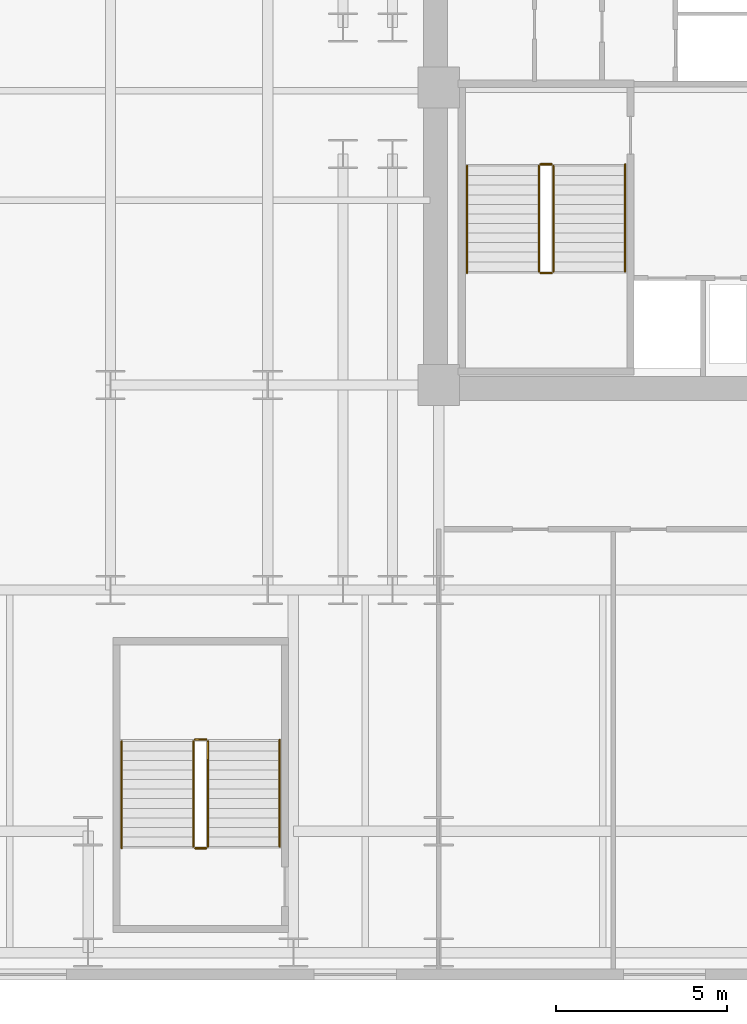
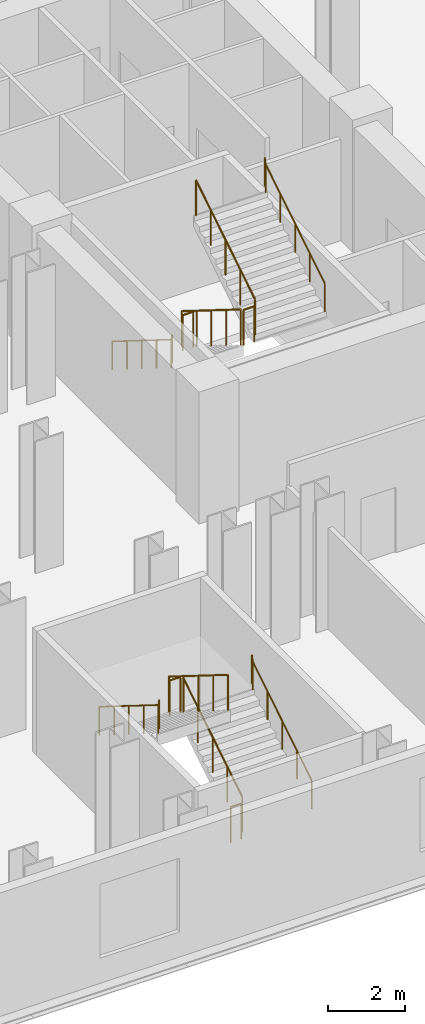
# One storey, part 12 of 13: 12 railings.
"""IFC4 building model written with IfcOpenShell, lengths in metres."""

from ifc_helpers import new_model, si_unit, direction, frame, origin, origin_2d, place, context, subcontext, project, spatial, circle, extrude, material, type_object, element, save


model = new_model("IFC4")

# Units and contexts
model_context = context("Model", 3, precision=1e-05, world=origin(), true_north=direction((0.0, 1.0)))
body_context = subcontext(model_context, "Body", "Model", "MODEL_VIEW")
ifc_project = project(units=[si_unit("LENGTHUNIT", "METRE"), si_unit("AREAUNIT", "SQUARE_METRE"), si_unit("VOLUMEUNIT", "CUBIC_METRE"), si_unit("PLANEANGLEUNIT", "RADIAN"), si_unit("MASSUNIT", "GRAM", prefix="KILO")], contexts=[model_context])

# Site, building, storey
site_placement = place(None, origin())
site = spatial("IfcSite", under=ifc_project, at=site_placement, CompositionType="ELEMENT")
building_placement = place(site_placement, origin())
building = spatial("IfcBuilding", under=site, at=building_placement, Name="Velakula Bourse", CompositionType="ELEMENT")
storey_placement = place(building_placement, frame((0.0, 0.0, 18.60009765625)))
storey = spatial("IfcBuildingStorey", under=building, at=storey_placement, Name="L04", CompositionType="ELEMENT", Elevation=18.60009765625)

# Railings
ifc_material = material(Name="Brushed grade 316 stainless steel", Category="steel")
railing_type_1 = type_object("IfcRailingType", Name="RLG-STAIR-GUARD-1150", PredefinedType="BALUSTRADE", material=ifc_material)
railing_1_placement = place(storey_placement, frame((-15.672119140625, -2.199951171875, 0.1748046875)))
element("IfcRailing", 1, at=railing_1_placement, inside=storey, type_object=railing_type_1, Name="L04 ST-W1 stair guard 1", PredefinedType="BALUSTRADE", context=body_context, shape_type="SweptSolid", body=[
    extrude(circle(Radius=0.02490234375, at=origin_2d()), frame((0.0, 0.0, 1.125), z_axis=(0.0, -0.847998304005, 0.529998940003), x_axis=(1.0, 0.0, 0.0)), (0.0, 0.0, 1.0), 3.632080078125),
    extrude(circle(Radius=0.02099609375, at=origin_2d()), origin(), (0.0, 0.0, 1.0), 1.099853515625),
    extrude(circle(Radius=0.02099609375, at=origin_2d()), frame((0.0, -0.77001953125, 0.481201171875)), (0.0, 0.0, 1.0), 1.099853515625),
    extrude(circle(Radius=0.02099609375, at=origin_2d()), frame((0.0, -1.5400390625, 0.96240234375)), (0.0, 0.0, 1.0), 1.099853515625),
    extrude(circle(Radius=0.02099609375, at=origin_2d()), frame((0.0, -2.31005859375, 1.44384765625)), (0.0, 0.0, 1.0), 1.099853515625),
    extrude(circle(Radius=0.02099609375, at=origin_2d()), frame((0.0, -3.080078125, 1.925048828125)), (0.0, 0.0, 1.0), 1.099853515625),
])
railing_2_placement = place(storey_placement, frame((-15.6220703125, -5.330078125, 2.099853515625)))
element("IfcRailing", 2, at=railing_2_placement, inside=storey, type_object=railing_type_1, Name="L04 ST-W1 stair guard 2", PredefinedType="BALUSTRADE", context=body_context, shape_type="SweptSolid", body=[
    extrude(circle(Radius=0.02490234375, at=origin_2d()), frame((0.0, 0.0, 1.125), z_axis=(1.0, 0.0, 0.0), x_axis=(0.0, 1.0, 0.0)), (0.0, 0.0, 1.0), 0.323974609375),
    extrude(circle(Radius=0.02099609375, at=origin_2d()), origin(), (0.0, 0.0, 1.0), 1.099853515625),
    extrude(circle(Radius=0.02099609375, at=origin_2d()), frame((0.323974609375, 0.0, 0.0)), (0.0, 0.0, 1.0), 1.099853515625),
])
railing_3_placement = place(storey_placement, frame((-15.248046875, -5.280029296875, 2.27490234375)))
element("IfcRailing", 3, at=railing_3_placement, inside=storey, type_object=railing_type_1, Name="L04 ST-W1 stair guard 3", PredefinedType="BALUSTRADE", context=body_context, shape_type="SweptSolid", body=[
    extrude(circle(Radius=0.02490234375, at=origin_2d()), frame((0.0, 0.0, 1.125), z_axis=(0.0, 0.847998304005, 0.529998940003), x_axis=(-1.0, 0.0, 0.0)), (0.0, 0.0, 1.0), 3.632080078125),
    extrude(circle(Radius=0.02099609375, at=origin_2d()), origin(), (0.0, 0.0, 1.0), 1.099853515625),
    extrude(circle(Radius=0.02099609375, at=origin_2d()), frame((0.0, 0.77001953125, 0.481201171875)), (0.0, 0.0, 1.0), 1.099853515625),
    extrude(circle(Radius=0.02099609375, at=origin_2d()), frame((0.0, 1.5400390625, 0.96240234375)), (0.0, 0.0, 1.0), 1.099853515625),
    extrude(circle(Radius=0.02099609375, at=origin_2d()), frame((0.0, 2.31005859375, 1.44384765625)), (0.0, 0.0, 1.0), 1.099853515625),
    extrude(circle(Radius=0.02099609375, at=origin_2d()), frame((0.0, 3.080078125, 1.925048828125)), (0.0, 0.0, 1.0), 1.099853515625),
])
railing_4_placement = place(storey_placement, frame((-15.6220703125, -2.14990234375, 0.0)))
element("IfcRailing", 4, at=railing_4_placement, inside=storey, type_object=railing_type_1, Name="L04 ST-W1 stair guard 4", PredefinedType="BALUSTRADE", context=body_context, shape_type="SweptSolid", body=[
    extrude(circle(Radius=0.02490234375, at=origin_2d()), frame((0.0, 0.0, 1.125), z_axis=(1.0, 0.0, 0.0), x_axis=(0.0, 1.0, 0.0)), (0.0, 0.0, 1.0), 0.323974609375),
    extrude(circle(Radius=0.02099609375, at=origin_2d()), origin(), (0.0, 0.0, 1.0), 1.099853515625),
    extrude(circle(Radius=0.02099609375, at=origin_2d()), frame((0.323974609375, 0.0, 0.0)), (0.0, 0.0, 1.0), 1.099853515625),
])
railing_5_placement = place(storey_placement, frame((-25.347900390625, -22.10009765625, 0.1748046875)))
element("IfcRailing", 5, at=railing_5_placement, inside=storey, type_object=railing_type_1, Name="L04 ST-P1 stair guard 1", PredefinedType="BALUSTRADE", context=body_context, shape_type="SweptSolid", body=[
    extrude(circle(Radius=0.02490234375, at=origin_2d()), frame((0.0, 0.0, 1.125), z_axis=(0.0, 0.847998304005, 0.529998940003), x_axis=(-1.0, 0.0, 0.0)), (0.0, 0.0, 1.0), 3.632080078125),
    extrude(circle(Radius=0.02099609375, at=origin_2d()), origin(), (0.0, 0.0, 1.0), 1.099853515625),
    extrude(circle(Radius=0.02099609375, at=origin_2d()), frame((0.0, 0.77001953125, 0.481201171875)), (0.0, 0.0, 1.0), 1.099853515625),
    extrude(circle(Radius=0.02099609375, at=origin_2d()), frame((0.0, 1.5400390625, 0.96240234375)), (0.0, 0.0, 1.0), 1.099853515625),
    extrude(circle(Radius=0.02099609375, at=origin_2d()), frame((0.0, 2.31005859375, 1.44384765625)), (0.0, 0.0, 1.0), 1.099853515625),
    extrude(circle(Radius=0.02099609375, at=origin_2d()), frame((0.0, 3.080078125, 1.925048828125)), (0.0, 0.0, 1.0), 1.099853515625),
])
railing_6_placement = place(storey_placement, frame((-25.39794921875, -18.969970703125, 2.099853515625)))
element("IfcRailing", 6, at=railing_6_placement, inside=storey, type_object=railing_type_1, Name="L04 ST-P1 stair guard 2", PredefinedType="BALUSTRADE", context=body_context, shape_type="SweptSolid", body=[
    extrude(circle(Radius=0.02490234375, at=origin_2d()), frame((0.0, 0.0, 1.125), z_axis=(-1.0, 0.0, 0.0), x_axis=(0.0, -1.0, 0.0)), (0.0, 0.0, 1.0), 0.323974609375),
    extrude(circle(Radius=0.02099609375, at=origin_2d()), origin(), (0.0, 0.0, 1.0), 1.099853515625),
    extrude(circle(Radius=0.02099609375, at=origin_2d()), frame((-0.323974609375, 0.0, 0.0)), (0.0, 0.0, 1.0), 1.099853515625),
])
railing_7_placement = place(storey_placement, frame((-25.77197265625, -19.02001953125, 2.27490234375)))
element("IfcRailing", 7, at=railing_7_placement, inside=storey, type_object=railing_type_1, Name="L04 ST-P1 stair guard 3", PredefinedType="BALUSTRADE", context=body_context, shape_type="SweptSolid", body=[
    extrude(circle(Radius=0.02490234375, at=origin_2d()), frame((0.0, 0.0, 1.125), z_axis=(0.0, -0.847998304005, 0.529998940003), x_axis=(1.0, 0.0, 0.0)), (0.0, 0.0, 1.0), 3.632080078125),
    extrude(circle(Radius=0.02099609375, at=origin_2d()), origin(), (0.0, 0.0, 1.0), 1.099853515625),
    extrude(circle(Radius=0.02099609375, at=origin_2d()), frame((0.0, -0.77001953125, 0.481201171875)), (0.0, 0.0, 1.0), 1.099853515625),
    extrude(circle(Radius=0.02099609375, at=origin_2d()), frame((0.0, -1.5400390625, 0.96240234375)), (0.0, 0.0, 1.0), 1.099853515625),
    extrude(circle(Radius=0.02099609375, at=origin_2d()), frame((0.0, -2.31005859375, 1.44384765625)), (0.0, 0.0, 1.0), 1.099853515625),
    extrude(circle(Radius=0.02099609375, at=origin_2d()), frame((0.0, -3.080078125, 1.925048828125)), (0.0, 0.0, 1.0), 1.099853515625),
])
railing_8_placement = place(storey_placement, frame((-25.39794921875, -22.14990234375, 0.0)))
element("IfcRailing", 8, at=railing_8_placement, inside=storey, type_object=railing_type_1, Name="L04 ST-P1 stair guard 4", PredefinedType="BALUSTRADE", context=body_context, shape_type="SweptSolid", body=[
    extrude(circle(Radius=0.02490234375, at=origin_2d()), frame((0.0, 0.0, 1.125), z_axis=(-1.0, 0.0, 0.0), x_axis=(0.0, -1.0, 0.0)), (0.0, 0.0, 1.0), 0.323974609375),
    extrude(circle(Radius=0.02099609375, at=origin_2d()), origin(), (0.0, 0.0, 1.0), 1.099853515625),
    extrude(circle(Radius=0.02099609375, at=origin_2d()), frame((-0.323974609375, 0.0, 0.0)), (0.0, 0.0, 1.0), 1.099853515625),
])
railing_type_2 = type_object("IfcRailingType", Name="RLG-STAIR-HAND-920", PredefinedType="HANDRAIL", material=ifc_material)
railing_9_placement = place(storey_placement, frame((-17.77001953125, -2.199951171875, 0.1748046875)))
element("IfcRailing", 9, at=railing_9_placement, inside=storey, type_object=railing_type_2, Name="L04 ST-W1 stair handrail 1", PredefinedType="HANDRAIL", context=body_context, shape_type="SweptSolid", body=[
    extrude(circle(Radius=0.02099609375, at=origin_2d()), frame((0.0, 0.0, 0.89892578125), z_axis=(0.0, -0.847998304005, 0.529998940003), x_axis=(1.0, 0.0, 0.0)), (0.0, 0.0, 1.0), 3.632080078125),
    extrude(circle(Radius=0.02099609375, at=origin_2d()), frame((0.0, -3.080078125, 2.823974609375), z_axis=(0.0, -0.222972465624, 0.974824743004), x_axis=(1.0, 0.0, 0.0)), (0.0, 0.0, 1.0), 0.1796875),
    extrude(circle(Radius=0.02099609375, at=origin_2d()), frame((0.0, -3.1201171875, 2.9990234375), z_axis=(0.0, -1.0, 0.0), x_axis=(1.0, 0.0, 0.0)), (0.0, 0.0, 1.0), 0.0048828125),
    extrude(circle(Radius=0.02099609375, at=origin_2d()), origin(), (0.0, 0.0, 1.0), 0.8779296875),
    extrude(circle(Radius=0.02099609375, at=origin_2d()), frame((0.0, -0.77001953125, 0.481201171875)), (0.0, 0.0, 1.0), 0.8779296875),
    extrude(circle(Radius=0.02099609375, at=origin_2d()), frame((0.0, -1.5400390625, 0.96240234375)), (0.0, 0.0, 1.0), 0.8779296875),
    extrude(circle(Radius=0.02099609375, at=origin_2d()), frame((0.0, -2.31005859375, 1.44384765625)), (0.0, 0.0, 1.0), 0.8779296875),
    extrude(circle(Radius=0.02099609375, at=origin_2d()), frame((0.0, -3.080078125, 1.925048828125)), (0.0, 0.0, 1.0), 0.8779296875),
    extrude(circle(Radius=0.02099609375, at=origin_2d()), frame((0.0, -3.1201171875, 2.10009765625)), (0.0, 0.0, 1.0), 0.8779296875),
    extrude(circle(Radius=0.02099609375, at=origin_2d()), frame((0.0, -3.125, 2.10009765625)), (0.0, 0.0, 1.0), 0.8779296875),
])
for number, where, name in (
    (10, (-13.14990234375, -5.280029296875, 2.27490234375), "L04 ST-W1 stair handrail 2"),
    (11, (-23.25, -22.10009765625, 0.1748046875), "L04 ST-P1 stair handrail 1"),
):
    element("IfcRailing", number, at=place(storey_placement, frame(where)), inside=storey, type_object=railing_type_2, Name=name, PredefinedType="HANDRAIL", context=body_context, shape_type="SweptSolid", body=[
        extrude(circle(Radius=0.02099609375, at=origin_2d()), frame((0.0, 0.0, 0.89892578125), z_axis=(0.0, 0.847998304005, 0.529998940003), x_axis=(-1.0, 0.0, 0.0)), (0.0, 0.0, 1.0), 3.632080078125),
        extrude(circle(Radius=0.02099609375, at=origin_2d()), frame((0.0, 3.080078125, 2.823974609375), z_axis=(0.0, 0.222972465624, 0.974824743004), x_axis=(-1.0, 0.0, 0.0)), (0.0, 0.0, 1.0), 0.1796875),
        extrude(circle(Radius=0.02099609375, at=origin_2d()), frame((0.0, 3.1201171875, 2.9990234375), z_axis=(0.0, 1.0, 0.0), x_axis=(-1.0, 0.0, 0.0)), (0.0, 0.0, 1.0), 0.0048828125),
        extrude(circle(Radius=0.02099609375, at=origin_2d()), origin(), (0.0, 0.0, 1.0), 0.8779296875),
        extrude(circle(Radius=0.02099609375, at=origin_2d()), frame((0.0, 0.77001953125, 0.481201171875)), (0.0, 0.0, 1.0), 0.8779296875),
        extrude(circle(Radius=0.02099609375, at=origin_2d()), frame((0.0, 1.5400390625, 0.96240234375)), (0.0, 0.0, 1.0), 0.8779296875),
        extrude(circle(Radius=0.02099609375, at=origin_2d()), frame((0.0, 2.31005859375, 1.44384765625)), (0.0, 0.0, 1.0), 0.8779296875),
        extrude(circle(Radius=0.02099609375, at=origin_2d()), frame((0.0, 3.080078125, 1.925048828125)), (0.0, 0.0, 1.0), 0.8779296875),
        extrude(circle(Radius=0.02099609375, at=origin_2d()), frame((0.0, 3.1201171875, 2.10009765625)), (0.0, 0.0, 1.0), 0.8779296875),
        extrude(circle(Radius=0.02099609375, at=origin_2d()), frame((0.0, 3.125, 2.10009765625)), (0.0, 0.0, 1.0), 0.8779296875),
    ])
railing_10_placement = place(storey_placement, frame((-27.8701171875, -19.02001953125, 2.27490234375)))
element("IfcRailing", 12, at=railing_10_placement, inside=storey, type_object=railing_type_2, Name="L04 ST-P1 stair handrail 2", PredefinedType="HANDRAIL", context=body_context, shape_type="SweptSolid", body=[
    extrude(circle(Radius=0.02099609375, at=origin_2d()), frame((0.0, 0.0, 0.89892578125), z_axis=(0.0, -0.847998304005, 0.529998940003), x_axis=(1.0, 0.0, 0.0)), (0.0, 0.0, 1.0), 3.632080078125),
    extrude(circle(Radius=0.02099609375, at=origin_2d()), frame((0.0, -3.080078125, 2.823974609375), z_axis=(0.0, -0.221679885081, 0.975119494498), x_axis=(1.0, 0.0, 0.0)), (0.0, 0.0, 1.0), 0.179443359375),
    extrude(circle(Radius=0.02099609375, at=origin_2d()), frame((0.0, -3.119873046875, 2.9990234375), z_axis=(0.0, -1.0, 0.0), x_axis=(1.0, 0.0, 0.0)), (0.0, 0.0, 1.0), 0.005126953125),
    extrude(circle(Radius=0.02099609375, at=origin_2d()), origin(), (0.0, 0.0, 1.0), 0.8779296875),
    extrude(circle(Radius=0.02099609375, at=origin_2d()), frame((0.0, -0.77001953125, 0.481201171875)), (0.0, 0.0, 1.0), 0.8779296875),
    extrude(circle(Radius=0.02099609375, at=origin_2d()), frame((0.0, -1.5400390625, 0.96240234375)), (0.0, 0.0, 1.0), 0.8779296875),
    extrude(circle(Radius=0.02099609375, at=origin_2d()), frame((0.0, -2.31005859375, 1.44384765625)), (0.0, 0.0, 1.0), 0.8779296875),
    extrude(circle(Radius=0.02099609375, at=origin_2d()), frame((0.0, -3.080078125, 1.925048828125)), (0.0, 0.0, 1.0), 0.8779296875),
    extrude(circle(Radius=0.02099609375, at=origin_2d()), frame((0.0, -3.119873046875, 2.10009765625)), (0.0, 0.0, 1.0), 0.8779296875),
    extrude(circle(Radius=0.02099609375, at=origin_2d()), frame((0.0, -3.125, 2.10009765625)), (0.0, 0.0, 1.0), 0.8779296875),
])

save(model, "model.ifc")
